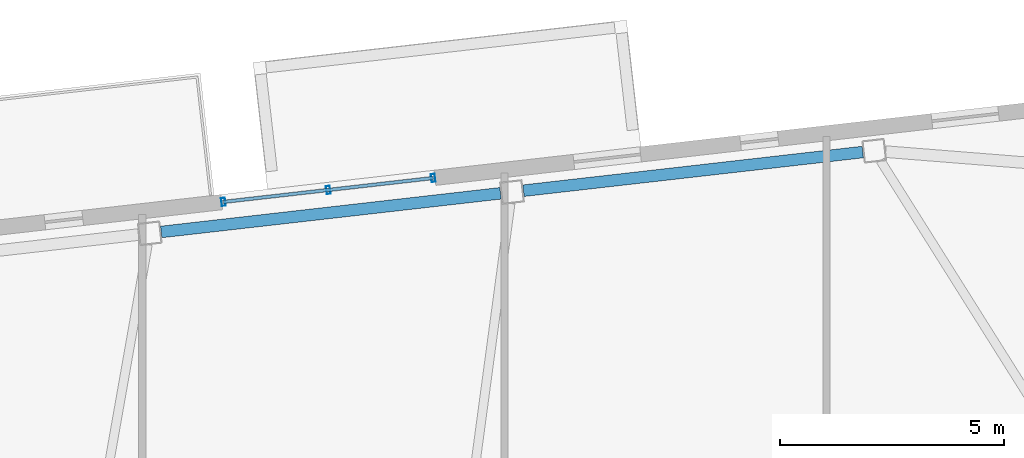
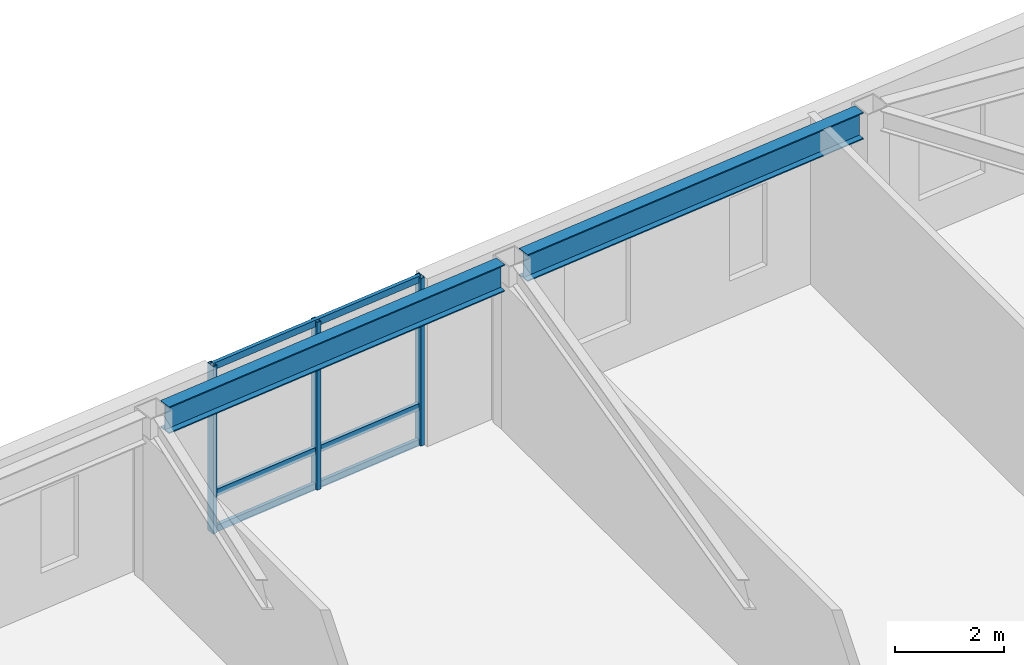
# One storey, part 10 of 20: 6 members, 2 beams, 1 element without a shape of its own.
"""IFC4 building model written with IfcOpenShell, lengths in metres."""

from ifc_helpers import new_model, si_unit, direction, frame, origin, origin_2d, place, context, subcontext, project, spatial, hollow_rectangle, i_section, extrude, material, layer, layer_set, material_profile, profile_set, type_object, element, aggregate, save


model = new_model("IFC4")

# Units and contexts
model_context = context("Model", 3, precision=1e-05, world=origin(), true_north=direction((0.0, 1.0)))
body_context = subcontext(model_context, "Body", "Model", "MODEL_VIEW")
ifc_project = project(units=[si_unit("LENGTHUNIT", "METRE"), si_unit("AREAUNIT", "SQUARE_METRE"), si_unit("VOLUMEUNIT", "CUBIC_METRE"), si_unit("PLANEANGLEUNIT", "RADIAN"), si_unit("MASSUNIT", "GRAM", prefix="KILO")], contexts=[model_context])

# Site, building, storey
site_placement = place(None, origin())
site = spatial("IfcSite", under=ifc_project, at=site_placement, CompositionType="ELEMENT")
building_placement = place(site_placement, origin())
building = spatial("IfcBuilding", under=site, at=building_placement, Name="Tavrogorsk Clinical Tower", CompositionType="ELEMENT")
storey_placement = place(building_placement, frame((0.0, 0.0, 251.0)))
storey = spatial("IfcBuildingStorey", under=building, at=storey_placement, Name="L58", CompositionType="ELEMENT", Elevation=251.0)

# Curtain wall, members
ifc_material_1 = material(Name="Anodised aluminium and triple IGU glazing", Category="aluminium")
ifc_layer = layer(ifc_material_1, 0.179931640625)
ifc_layer_set = layer_set([ifc_layer], Name="Anodised aluminium and triple IGU glazing")
curtain_wall_type = type_object("IfcCurtainWallType", Name="CW2_NorthSlot", PredefinedType="NOTDEFINED", material=ifc_layer_set)
curtain_wall_placement = place(storey_placement, origin())
curtain_wall = element("IfcCurtainWall", 1, at=curtain_wall_placement, inside=storey, type_object=curtain_wall_type, Name="L58 Curtain Wall CW-L58-N-SLOT-2", PredefinedType="NOTDEFINED")
ifc_material_2 = material(Name="Anodised aluminium alloy AW-6060", Category="aluminium")
ifc_material_profile_1 = material_profile(ifc_material_2, hollow_rectangle(XDim=0.090087890625, YDim=0.179931640625, WallThickness=0.00634765625, at=origin_2d()), Name="RHS-180x90x6.3")
ifc_profile_set_1 = profile_set([ifc_material_profile_1], Name="Anodised aluminium alloy AW-6060")
member_type_1 = type_object("IfcMemberType", Name="CwMullion_180x90", PredefinedType="MULLION", material=ifc_profile_set_1)
member_1_placement = place(storey_placement, frame((5.410400390625, 27.270263671875, 0.0), z_axis=(0.0, 0.0, 1.0), x_axis=(-0.993571855603, -0.11320321441, 0.0)))
member_1 = element("IfcMember", 2, at=member_1_placement, type_object=member_type_1, Name="CW-L58-N-SLOT-2 Mullion 1", PredefinedType="MULLION", context=body_context, shape_type="SweptSolid", body=[
    extrude(hollow_rectangle(XDim=0.090087890625, YDim=0.179931640625, WallThickness=0.00634765625, at=origin_2d()), origin(), (0.0, 0.0, 1.0), 3.739990234375),
])
member_2_placement = place(storey_placement, frame((3.06640625, 27.003173828125, 0.0), z_axis=(0.0, 0.0, 1.0), x_axis=(-0.993571855603, -0.11320321441, 0.0)))
member_2 = element("IfcMember", 3, at=member_2_placement, type_object=member_type_1, Name="CW-L58-N-SLOT-2 Mullion 2", PredefinedType="MULLION", context=body_context, shape_type="SweptSolid", body=[
    extrude(hollow_rectangle(XDim=0.090087890625, YDim=0.179931640625, WallThickness=0.00634765625, at=origin_2d()), origin(), (0.0, 0.0, 1.0), 3.739990234375),
])
member_3_placement = place(storey_placement, frame((0.72265625, 26.736083984375, 0.0), z_axis=(0.0, 0.0, 1.0), x_axis=(-0.993571855603, -0.11320321441, 0.0)))
member_3 = element("IfcMember", 4, at=member_3_placement, type_object=member_type_1, Name="CW-L58-N-SLOT-2 Mullion 3", PredefinedType="MULLION", context=body_context, shape_type="SweptSolid", body=[
    extrude(hollow_rectangle(XDim=0.090087890625, YDim=0.179931640625, WallThickness=0.00634765625, at=origin_2d()), origin(), (0.0, 0.0, 1.0), 3.739990234375),
])
ifc_material_3 = material(Name="Anodised aluminium alloy AW-6060", Category="aluminium")
ifc_material_profile_2 = material_profile(ifc_material_3, hollow_rectangle(XDim=0.074951171875, YDim=0.14990234375, WallThickness=0.0048828125, at=origin_2d()), Name="RHS-150x75x5")
ifc_profile_set_2 = profile_set([ifc_material_profile_2], Name="Anodised aluminium alloy AW-6060")
member_type_2 = type_object("IfcMemberType", Name="CwTransom_150x75", PredefinedType="USERDEFINED", material=ifc_profile_set_2)
member_4_placement = place(storey_placement, frame((5.410400390625, 27.270263671875, 0.050048828125), z_axis=(-0.993569979218, -0.113219682023, 0.0), x_axis=(0.113219682023, -0.993569979218, 0.0)))
member_4 = element("IfcMember", 5, at=member_4_placement, type_object=member_type_2, Name="CW-L58-N-SLOT-2 Transom 1", ObjectType="TRANSOM", PredefinedType="USERDEFINED", context=body_context, shape_type="SweptSolid", body=[
    extrude(hollow_rectangle(XDim=0.074951171875, YDim=0.14990234375, WallThickness=0.0048828125, at=origin_2d()), origin(), (0.0, 0.0, 1.0), 4.718017578125),
])
member_5_placement = place(storey_placement, frame((5.410400390625, 27.270263671875, 0.85009765625), z_axis=(-0.993569979218, -0.113219682023, 0.0), x_axis=(0.113219682023, -0.993569979218, 0.0)))
member_5 = element("IfcMember", 6, at=member_5_placement, type_object=member_type_2, Name="CW-L58-N-SLOT-2 Transom 2", ObjectType="TRANSOM", PredefinedType="USERDEFINED", context=body_context, shape_type="SweptSolid", body=[
    extrude(hollow_rectangle(XDim=0.074951171875, YDim=0.14990234375, WallThickness=0.0048828125, at=origin_2d()), origin(), (0.0, 0.0, 1.0), 4.718017578125),
])
member_6_placement = place(storey_placement, frame((5.410400390625, 27.270263671875, 3.68994140625), z_axis=(-0.993569979218, -0.113219682023, 0.0), x_axis=(0.113219682023, -0.993569979218, 0.0)))
member_6 = element("IfcMember", 7, at=member_6_placement, type_object=member_type_2, Name="CW-L58-N-SLOT-2 Transom 3", ObjectType="TRANSOM", PredefinedType="USERDEFINED", context=body_context, shape_type="SweptSolid", body=[
    extrude(hollow_rectangle(XDim=0.074951171875, YDim=0.14990234375, WallThickness=0.0048828125, at=origin_2d()), origin(), (0.0, 0.0, 1.0), 4.718017578125),
])
aggregate(curtain_wall, [member_1, member_2, member_3, member_4, member_5, member_6])

# Beams
ifc_material_4 = material(Name="Structural steel S390", Category="steel")
ifc_material_profile_3 = material_profile(ifc_material_4, i_section(OverallWidth=0.260009765625, OverallDepth=0.60009765625, WebThickness=0.014892578125, FlangeThickness=0.02392578125, at=origin_2d()), Name="B-600x260x15x24")
ifc_profile_set_3 = profile_set([ifc_material_profile_3], Name="Structural steel S390")
beam_type = type_object("IfcBeamType", Name="SpandrelBeam_B600", PredefinedType="SPANDREL", material=ifc_profile_set_3)
for number, where, z_axis, x_axis, name in (
    (8, (15.01220703125, 27.850830078125, 3.43994140625), (-0.993572099834, -0.113201070804, 0.0), (0.113201070804, -0.993572099834, 0.0), "L58 Perimeter Spandrel N2-N3"),
    (9, (6.916015625, 26.928466796875, 3.43994140625), (-0.993572099834, -0.113201070804, 0.0), (0.113201070804, -0.993572099834, 0.0), "L58 Perimeter Spandrel N3-N4"),
):
    element("IfcBeam", number, at=place(storey_placement, frame(where, z_axis=z_axis, x_axis=x_axis)), inside=storey, type_object=beam_type, Name=name, PredefinedType="SPANDREL", context=body_context, shape_type="SweptSolid", body=[
        extrude(i_section(OverallWidth=0.260009765625, OverallDepth=0.60009765625, WebThickness=0.014892578125, FlangeThickness=0.02392578125, at=origin_2d()), origin(), (0.0, 0.0, 1.0), 7.632568359375),
    ])

save(model, "model.ifc")
